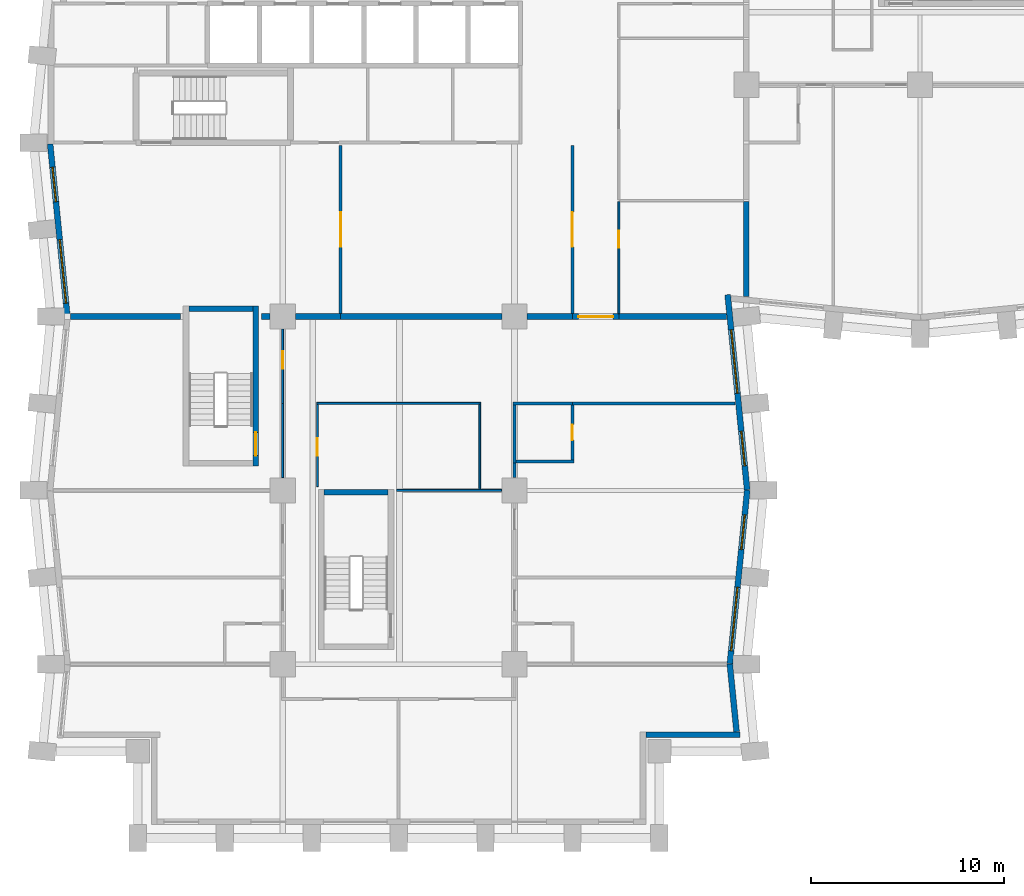
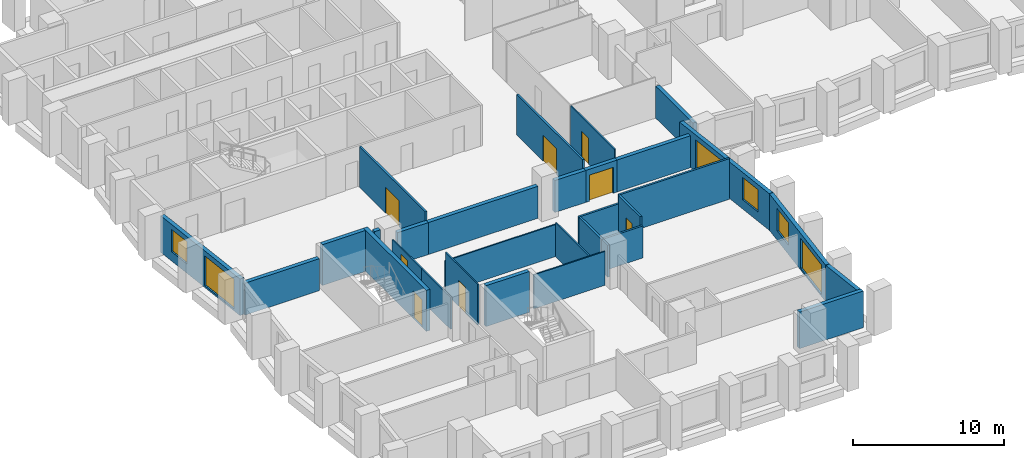
# One storey, part 4 of 12: 31 walls, 8 doors, 6 windows, 14 openings.
"""IFC4 building model written with IfcOpenShell, lengths in metres."""

from ifc_helpers import new_model, si_unit, direction, frame, frame_2d, origin, place, context, subcontext, project, spatial, rectangle, extrude, material, layer, layer_set, type_object, element, fill, save


model = new_model("IFC4")

# Units and contexts
model_context = context("Model", 3, precision=1e-05, world=origin(), true_north=direction((0.0, 1.0)))
body_context = subcontext(model_context, "Body", "Model", "MODEL_VIEW")
ifc_project = project(units=[si_unit("LENGTHUNIT", "METRE"), si_unit("AREAUNIT", "SQUARE_METRE"), si_unit("VOLUMEUNIT", "CUBIC_METRE"), si_unit("PLANEANGLEUNIT", "RADIAN"), si_unit("MASSUNIT", "GRAM", prefix="KILO")], contexts=[model_context])

# Site, building, storey
site_placement = place(None, origin())
site = spatial("IfcSite", under=ifc_project, at=site_placement, CompositionType="ELEMENT")
building_placement = place(site_placement, origin())
building = spatial("IfcBuilding", under=site, at=building_placement, Name="Brondeck Convention Tower", CompositionType="ELEMENT")
storey_placement = place(building_placement, frame((0.0, 0.0, 59.10009765625)))
storey = spatial("IfcBuildingStorey", under=building, at=storey_placement, Name="L12", CompositionType="ELEMENT", Elevation=59.10009765625)

# Walls
ifc_material_1 = material(Name="Concrete compartment wall C30/37", Category="concrete")
ifc_layer_1 = layer(ifc_material_1, 0.300048828125)
ifc_layer_set_1 = layer_set([ifc_layer_1], Name="Compartment wall 300")
wall_type_1 = type_object("IfcWallType", Name="Compartment wall 300", PredefinedType="PARTITIONING", material=ifc_layer_set_1)
wall_1_placement = place(storey_placement, frame((6.699951171875, 27.0, 0.0), z_axis=(0.0, 0.0, 1.0), x_axis=(-1.0, 0.0, 0.0)))
element("IfcWall", 1, at=wall_1_placement, inside=storey, type_object=wall_type_1, Name="FLR-L12-W035", PredefinedType="PARTITIONING", context=body_context, shape_type="SweptSolid", body=[
    extrude(rectangle(XDim=5.675048828125, YDim=0.300048828125, at=frame_2d((2.83740234375, 0.0))), origin(), (0.0, 0.0, 1.0), 2.579833984375),
])
wall_2_placement = place(storey_placement, frame((11.344970703125, 27.0, 0.0), z_axis=(0.0, 0.0, 1.0), x_axis=(-1.0, 0.0, 0.0)))
element("IfcWall", 2, at=wall_2_placement, inside=storey, type_object=wall_type_1, Name="FLR-L12-W036", PredefinedType="PARTITIONING", context=body_context, shape_type="SweptSolid", body=[
    extrude(rectangle(XDim=0.445068359375, YDim=0.300048828125, at=frame_2d((0.22265625, 0.0))), origin(), (0.0, 0.0, 1.0), 3.27978515625),
])
wall_3_placement = place(storey_placement, frame((15.0, 27.0, 0.0), z_axis=(0.0, 0.0, 1.0), x_axis=(-1.0, 0.0, 0.0)))
element("IfcWall", 3, at=wall_3_placement, inside=storey, type_object=wall_type_1, Name="FLR-L12-W037", PredefinedType="PARTITIONING", context=body_context, shape_type="SweptSolid", body=[
    extrude(rectangle(XDim=2.344970703125, YDim=0.300048828125, at=frame_2d((1.17236328125, 0.0))), origin(), (0.0, 0.0, 1.0), 2.579833984375),
])
wall_4_placement = place(storey_placement, frame((23.344970703125, 27.0, 0.0), z_axis=(0.0, 0.0, 1.0), x_axis=(-1.0, 0.0, 0.0)))
element("IfcWall", 4, at=wall_4_placement, inside=storey, type_object=wall_type_1, Name="FLR-L12-W038", PredefinedType="PARTITIONING", context=body_context, shape_type="SweptSolid", body=[
    extrude(rectangle(XDim=8.344970703125, YDim=0.300048828125, at=frame_2d((4.17236328125, 0.0))), origin(), (0.0, 0.0, 1.0), 2.579833984375),
])
wall_5_placement = place(storey_placement, frame((27.0, 27.0, 0.0), z_axis=(0.0, 0.0, 1.0), x_axis=(-1.0, 0.0, 0.0)))
element("IfcWall", 5, at=wall_5_placement, inside=storey, type_object=wall_type_1, Name="FLR-L12-W039", PredefinedType="PARTITIONING", context=body_context, shape_type="SweptSolid", body=[
    extrude(rectangle(XDim=2.344970703125, YDim=0.300048828125, at=frame_2d((1.17236328125, 0.0))), origin(), (0.0, 0.0, 1.0), 2.579833984375),
])

# Wall, opening, door
wall_6_placement = place(storey_placement, frame((29.39990234375, 27.0, 0.0), z_axis=(0.0, 0.0, 1.0), x_axis=(-1.0, 0.0, 0.0)))
wall_6 = element("IfcWall", 6, at=wall_6_placement, inside=storey, type_object=wall_type_1, Name="FLR-L12-W040", PredefinedType="PARTITIONING", context=body_context, shape_type="SweptSolid", body=[
    extrude(rectangle(XDim=2.39990234375, YDim=0.300048828125, at=frame_2d((1.199951171875, 0.0))), origin(), (0.0, 0.0, 1.0), 2.579833984375),
])
opening_1_placement = place(wall_6_placement, frame((0.300048828125, 0.0, 0.0)))
opening_1 = element("IfcOpeningElement", 7, at=opening_1_placement, cuts=wall_6, Name="Opening H3-042", PredefinedType="OPENING", context=body_context, shape_type="SweptSolid", body=[
    extrude(rectangle(XDim=1.800048828125, YDim=2.10009765625, at=frame_2d((0.89990234375, 1.050048828125))), frame((0.0, 0.159912109375, 0.0), z_axis=(0.0, -1.0, 0.0), x_axis=(1.0, 0.0, 0.0)), (0.0, 0.0, 1.0), 0.320068359375),
])
ifc_material_2 = material(Name="Steel fire door pair", Category="steel")
door_type_1 = type_object("IfcDoorType", Name="Fire door pair 1800", OperationType="DOUBLE_DOOR_SINGLE_SWING", PredefinedType="DOOR", material=ifc_material_2)
door_1_placement = place(opening_1_placement, origin())
door_1 = element("IfcDoor", 8, at=door_1_placement, inside=storey, type_object=door_type_1, Name="Door H3-042", OperationType="DOUBLE_DOOR_SINGLE_SWING", OverallHeight=2.10009765625, OverallWidth=1.800048828125, PredefinedType="DOOR", context=body_context, shape_type="SweptSolid", body=[
    extrude(rectangle(XDim=1.800048828125, YDim=2.10009765625, at=frame_2d((0.89990234375, 1.050048828125))), frame((0.0, 0.02490234375, 0.0), z_axis=(0.0, -1.0, 0.0), x_axis=(1.0, 0.0, 0.0)), (0.0, 0.0, 1.0), 0.050048828125),
])
fill(opening_1, door_1)

# Walls
wall_7_placement = place(storey_placement, frame((34.97509765625, 27.0, 0.0), z_axis=(0.0, 0.0, 1.0), x_axis=(-1.0, 0.0, 0.0)))
element("IfcWall", 9, at=wall_7_placement, inside=storey, type_object=wall_type_1, Name="FLR-L12-W041", PredefinedType="PARTITIONING", context=body_context, shape_type="SweptSolid", body=[
    extrude(rectangle(XDim=5.5751953125, YDim=0.300048828125, at=frame_2d((2.78759765625, 0.0))), origin(), (0.0, 0.0, 1.0), 2.579833984375),
])
wall_8_placement = place(storey_placement, frame((36.0, 32.949951171875, 0.0), z_axis=(0.0, 0.0, 1.0), x_axis=(0.0, -1.0, 0.0)))
element("IfcWall", 10, at=wall_8_placement, inside=storey, type_object=wall_type_1, Name="FLR-L12-W044", PredefinedType="PARTITIONING", context=body_context, shape_type="SweptSolid", body=[
    extrude(rectangle(XDim=4.925048828125, YDim=0.300048828125, at=frame_2d((2.46240234375, 0.0))), origin(), (0.0, 0.0, 1.0), 2.579833984375),
])
ifc_material_3 = material(Name="Precast concrete C50/60 bronze finish", Category="concrete")
ifc_layer_2 = layer(ifc_material_3, 0.070068359375, Name="Bronze precast facing")
ifc_material_4 = material(Name="Mineral wool")
ifc_layer_3 = layer(ifc_material_4, 0.159912109375, Name="Insulation")
ifc_material_5 = material(Name="Concrete C35/45", Category="concrete")
ifc_layer_4 = layer(ifc_material_5, 0.070068359375, Name="Backing")
ifc_layer_set_2 = layer_set([ifc_layer_2, ifc_layer_3, ifc_layer_4], Name="External infill wall, precast concrete C50/60 bronze facing")
wall_type_2 = type_object("IfcWallType", Name="External infill wall, precast concrete C50/60 bronze facing", PredefinedType="SOLIDWALL", material=ifc_layer_set_2)
wall_9_placement = place(storey_placement, frame((35.676513671875, 5.35009765625, 0.0), z_axis=(0.0, 0.0, 1.0), x_axis=(-1.0, 0.0, 0.0)))
element("IfcWall", 11, at=wall_9_placement, inside=storey, type_object=wall_type_2, Name="ENV-EW-L12-P0-NC-SEB0-02", PredefinedType="SOLIDWALL", context=body_context, shape_type="SweptSolid", body=[
    extrude(rectangle(XDim=4.87646484375, YDim=0.300048828125, at=frame_2d((2.438232421875, 0.0))), origin(), (0.0, 0.0, 1.0), 2.949951171875),
])
wall_10_placement = place(storey_placement, frame((35.144287109375, 9.014892578125, 0.0), z_axis=(0.0, 0.0, 1.0), x_axis=(0.099462600847, -0.995041301169, 0.0)))
element("IfcWall", 12, at=wall_10_placement, inside=storey, type_object=wall_type_2, Name="ENV-EW-L12-P0-B-E-04", PredefinedType="SOLIDWALL", context=body_context, shape_type="SweptSolid", body=[
    extrude(rectangle(XDim=3.52734375, YDim=0.300048828125, at=frame_2d((1.763671875, 0.0))), origin(), (0.0, 0.0, 1.0), 2.949951171875),
])

# Wall, openings, windows
wall_11_placement = place(storey_placement, frame((36.04736328125, 18.014892578125, 0.0), z_axis=(0.0, 0.0, 1.0), x_axis=(-0.099522457379, -0.995035316196, 0.0)))
wall_11 = element("IfcWall", 13, at=wall_11_placement, inside=storey, type_object=wall_type_2, Name="ENV-EW-L12-P0-B-E-03", PredefinedType="SOLIDWALL", context=body_context, shape_type="SweptSolid", body=[
    extrude(rectangle(XDim=9.030029296875, YDim=0.300048828125, at=frame_2d((4.51513671875, 0.0))), origin(), (0.0, 0.0, 1.0), 2.949951171875),
])
opening_2_placement = place(wall_11_placement, frame((1.291259765625, 0.0, 0.75)))
opening_2 = element("IfcOpeningElement", 14, at=opening_2_placement, cuts=wall_11, Name="Opening W10", PredefinedType="OPENING", context=body_context, shape_type="SweptSolid", body=[
    extrude(rectangle(XDim=1.800048828125, YDim=1.800048828125, at=frame_2d((0.89990234375, 0.89990234375))), frame((0.0, 0.159912109375, 0.0), z_axis=(0.0, -1.0, 0.0), x_axis=(1.0, 0.0, 0.0)), (0.0, 0.0, 1.0), 0.320068359375),
])
opening_3_placement = place(wall_11_placement, frame((5.063720703125, 0.0, 0.14990234375)))
opening_3 = element("IfcOpeningElement", 15, at=opening_3_placement, cuts=wall_11, Name="Opening W9", PredefinedType="OPENING", context=body_context, shape_type="SweptSolid", body=[
    extrude(rectangle(XDim=3.300048828125, YDim=2.39990234375, at=frame_2d((1.64990234375, 1.199951171875))), frame((0.0, 0.159912109375, 0.0), z_axis=(0.0, -1.0, 0.0), x_axis=(1.0, 0.0, 0.0)), (0.0, 0.0, 1.0), 0.320068359375),
])
ifc_material_6 = material(Name="Bronze tinted double glazing", Category="glass")
window_type_1 = type_object("IfcWindowType", Name="Glazed flute window, bronze tinted", PartitioningType="SINGLE_PANEL", PredefinedType="WINDOW", material=ifc_material_6)
window_1_placement = place(opening_3_placement, origin())
window_1 = element("IfcWindow", 16, at=window_1_placement, inside=storey, type_object=window_type_1, Name="ENV-WN-L12-P0-B-E-03", OverallHeight=2.39990234375, OverallWidth=3.300048828125, PartitioningType="SINGLE_PANEL", PredefinedType="WINDOW", context=body_context, shape_type="SweptSolid", body=[
    extrude(rectangle(XDim=3.300048828125, YDim=2.39990234375, at=frame_2d((1.64990234375, 1.199951171875))), frame((0.0, 0.030029296875, 0.0), z_axis=(0.0, -1.0, 0.0), x_axis=(1.0, 0.0, 0.0)), (0.0, 0.0, 1.0), 0.06005859375),
])
fill(opening_3, window_1)
window_type_2 = type_object("IfcWindowType", Name="Punched window, bronze tinted", PartitioningType="SINGLE_PANEL", PredefinedType="WINDOW", material=ifc_material_6)
window_2_placement = place(opening_2_placement, origin())
window_2 = element("IfcWindow", 17, at=window_2_placement, inside=storey, type_object=window_type_2, Name="ENV-WN-L12-P0-B-E-02", OverallHeight=1.800048828125, OverallWidth=1.800048828125, PartitioningType="SINGLE_PANEL", PredefinedType="WINDOW", context=body_context, shape_type="SweptSolid", body=[
    extrude(rectangle(XDim=1.800048828125, YDim=1.800048828125, at=frame_2d((0.89990234375, 0.89990234375))), frame((0.0, 0.030029296875, 0.0), z_axis=(0.0, -1.0, 0.0), x_axis=(1.0, 0.0, 0.0)), (0.0, 0.0, 1.0), 0.06005859375),
])
fill(opening_2, window_2)

wall_12_placement = place(storey_placement, frame((35.03271484375, 28.131591796875, 0.0), z_axis=(0.0, 0.0, 1.0), x_axis=(0.099487051997, -0.995038856771, 0.0)))
wall_12 = element("IfcWall", 18, at=wall_12_placement, inside=storey, type_object=wall_type_2, Name="ENV-EW-L12-P0-B-E-01", PredefinedType="SOLIDWALL", context=body_context, shape_type="SweptSolid", body=[
    extrude(rectangle(XDim=10.152099609375, YDim=0.300048828125, at=frame_2d((5.076171875, 0.0))), origin(), (0.0, 0.0, 1.0), 2.949951171875),
])
opening_4_placement = place(wall_12_placement, frame((1.83349609375, 0.0, 0.14990234375)))
opening_4 = element("IfcOpeningElement", 19, at=opening_4_placement, cuts=wall_12, Name="Opening W9", PredefinedType="OPENING", context=body_context, shape_type="SweptSolid", body=[
    extrude(rectangle(XDim=3.300048828125, YDim=2.39990234375, at=frame_2d((1.64990234375, 1.199951171875))), frame((0.0, 0.159912109375, 0.0), z_axis=(0.0, -1.0, 0.0), x_axis=(1.0, 0.0, 0.0)), (0.0, 0.0, 1.0), 0.320068359375),
])
opening_5_placement = place(wall_12_placement, frame((7.10595703125, 0.0, 0.75)))
opening_5 = element("IfcOpeningElement", 20, at=opening_5_placement, cuts=wall_12, Name="Opening W10", PredefinedType="OPENING", context=body_context, shape_type="SweptSolid", body=[
    extrude(rectangle(XDim=1.800048828125, YDim=1.800048828125, at=frame_2d((0.89990234375, 0.89990234375))), frame((0.0, 0.159912109375, 0.0), z_axis=(0.0, -1.0, 0.0), x_axis=(1.0, 0.0, 0.0)), (0.0, 0.0, 1.0), 0.320068359375),
])
window_3_placement = place(opening_4_placement, origin())
window_3 = element("IfcWindow", 21, at=window_3_placement, inside=storey, type_object=window_type_1, Name="ENV-WN-L12-P0-B-E-00", OverallHeight=2.39990234375, OverallWidth=3.300048828125, PartitioningType="SINGLE_PANEL", PredefinedType="WINDOW", context=body_context, shape_type="SweptSolid", body=[
    extrude(rectangle(XDim=3.300048828125, YDim=2.39990234375, at=frame_2d((1.64990234375, 1.199951171875))), frame((0.0, 0.030029296875, 0.0), z_axis=(0.0, -1.0, 0.0), x_axis=(1.0, 0.0, 0.0)), (0.0, 0.0, 1.0), 0.06005859375),
])
fill(opening_4, window_3)
window_4_placement = place(opening_5_placement, origin())
window_4 = element("IfcWindow", 22, at=window_4_placement, inside=storey, type_object=window_type_2, Name="ENV-WN-L12-P0-B-E-01", OverallHeight=1.800048828125, OverallWidth=1.800048828125, PartitioningType="SINGLE_PANEL", PredefinedType="WINDOW", context=body_context, shape_type="SweptSolid", body=[
    extrude(rectangle(XDim=1.800048828125, YDim=1.800048828125, at=frame_2d((0.89990234375, 0.89990234375))), frame((0.0, 0.030029296875, 0.0), z_axis=(0.0, -1.0, 0.0), x_axis=(1.0, 0.0, 0.0)), (0.0, 0.0, 1.0), 0.06005859375),
])
fill(opening_5, window_4)

wall_13_placement = place(storey_placement, frame((0.855712890625, 26.985107421875, 0.0), z_axis=(0.0, 0.0, 1.0), x_axis=(-0.099503719021, 0.99503719021, 0.0)))
wall_13 = element("IfcWall", 23, at=wall_13_placement, inside=storey, type_object=wall_type_2, Name="ENV-EW-L12-P0-B-W-06", PredefinedType="SOLIDWALL", context=body_context, shape_type="SweptSolid", body=[
    extrude(rectangle(XDim=8.994873046875, YDim=0.300048828125, at=frame_2d((4.49755859375, 0.0))), origin(), (0.0, 0.0, 1.0), 2.949951171875),
])
opening_6_placement = place(wall_13_placement, frame((0.711181640625, 0.0, 0.14990234375)))
opening_6 = element("IfcOpeningElement", 24, at=opening_6_placement, cuts=wall_13, Name="Opening W9", PredefinedType="OPENING", context=body_context, shape_type="SweptSolid", body=[
    extrude(rectangle(XDim=3.300048828125, YDim=2.39990234375, at=frame_2d((1.64990234375, 1.199951171875))), frame((0.0, 0.159912109375, 0.0), z_axis=(0.0, -1.0, 0.0), x_axis=(1.0, 0.0, 0.0)), (0.0, 0.0, 1.0), 0.320068359375),
])
opening_7_placement = place(wall_13_placement, frame((5.983642578125, 0.0, 0.75)))
opening_7 = element("IfcOpeningElement", 25, at=opening_7_placement, cuts=wall_13, Name="Opening W10", PredefinedType="OPENING", context=body_context, shape_type="SweptSolid", body=[
    extrude(rectangle(XDim=1.800048828125, YDim=1.800048828125, at=frame_2d((0.89990234375, 0.89990234375))), frame((0.0, 0.159912109375, 0.0), z_axis=(0.0, -1.0, 0.0), x_axis=(1.0, 0.0, 0.0)), (0.0, 0.0, 1.0), 0.320068359375),
])
window_5_placement = place(opening_6_placement, origin())
window_5 = element("IfcWindow", 26, at=window_5_placement, inside=storey, type_object=window_type_1, Name="ENV-WN-L12-P0-B-W-07", OverallHeight=2.39990234375, OverallWidth=3.300048828125, PartitioningType="SINGLE_PANEL", PredefinedType="WINDOW", context=body_context, shape_type="SweptSolid", body=[
    extrude(rectangle(XDim=3.300048828125, YDim=2.39990234375, at=frame_2d((1.64990234375, 1.199951171875))), frame((0.0, 0.030029296875, 0.0), z_axis=(0.0, -1.0, 0.0), x_axis=(1.0, 0.0, 0.0)), (0.0, 0.0, 1.0), 0.06005859375),
])
fill(opening_6, window_5)
window_6_placement = place(opening_7_placement, origin())
window_6 = element("IfcWindow", 27, at=window_6_placement, inside=storey, type_object=window_type_2, Name="ENV-WN-L12-P0-B-W-06", OverallHeight=1.800048828125, OverallWidth=1.800048828125, PartitioningType="SINGLE_PANEL", PredefinedType="WINDOW", context=body_context, shape_type="SweptSolid", body=[
    extrude(rectangle(XDim=1.800048828125, YDim=1.800048828125, at=frame_2d((0.89990234375, 0.89990234375))), frame((0.0, 0.030029296875, 0.0), z_axis=(0.0, -1.0, 0.0), x_axis=(1.0, 0.0, 0.0)), (0.0, 0.0, 1.0), 0.06005859375),
])
fill(opening_7, window_6)

# Walls
ifc_material_7 = material(Name="Double gypsum board acoustic wall")
ifc_layer_5 = layer(ifc_material_7, 0.14990234375)
ifc_layer_set_3 = layer_set([ifc_layer_5], Name="Guest room party wall 150")
wall_type_3 = type_object("IfcWallType", Name="Guest room party wall 150", PredefinedType="PARTITIONING", material=ifc_layer_set_3)
wall_14_placement = place(storey_placement, frame((24.0, 19.425048828125, 0.0), z_axis=(0.0, 0.0, 1.0), x_axis=(0.0, -1.0, 0.0)))
element("IfcWall", 28, at=wall_14_placement, inside=storey, type_object=wall_type_3, Name="FLR-L12-W025", PredefinedType="PARTITIONING", context=body_context, shape_type="SweptSolid", body=[
    extrude(rectangle(XDim=0.77001953125, YDim=0.14990234375, at=frame_2d((0.385009765625, 0.0))), origin(), (0.0, 0.0, 1.0), 2.579833984375),
])
wall_15_placement = place(storey_placement, frame((24.074951171875, 19.5, 0.0), z_axis=(0.0, 0.0, 1.0), x_axis=(1.0, 0.0, 0.0)))
element("IfcWall", 29, at=wall_15_placement, inside=storey, type_object=wall_type_3, Name="FLR-L12-W026", PredefinedType="PARTITIONING", context=body_context, shape_type="SweptSolid", body=[
    extrude(rectangle(XDim=3.0, YDim=0.14990234375, at=frame_2d((1.5, 0.0))), origin(), (0.0, 0.0, 1.0), 2.579833984375),
])

# Wall, opening, door
wall_16_placement = place(storey_placement, frame((27.0, 19.574951171875, 0.0), z_axis=(0.0, 0.0, 1.0), x_axis=(0.0, 1.0, 0.0)))
wall_16 = element("IfcWall", 30, at=wall_16_placement, inside=storey, type_object=wall_type_3, Name="FLR-L12-W027", PredefinedType="PARTITIONING", context=body_context, shape_type="SweptSolid", body=[
    extrude(rectangle(XDim=2.85009765625, YDim=0.14990234375, at=frame_2d((1.425048828125, 0.0))), origin(), (0.0, 0.0, 1.0), 3.27978515625),
])
opening_8_placement = place(wall_16_placement, frame((1.02490234375, 0.0, 0.0)))
opening_8 = element("IfcOpeningElement", 31, at=opening_8_placement, cuts=wall_16, Name="Opening H3-027", PredefinedType="OPENING", context=body_context, shape_type="SweptSolid", body=[
    extrude(rectangle(XDim=0.800048828125, YDim=2.10009765625, at=frame_2d((0.39990234375, 1.050048828125))), frame((0.0, 0.0849609375, 0.0), z_axis=(0.0, -1.0, 0.0), x_axis=(1.0, 0.0, 0.0)), (0.0, 0.0, 1.0), 0.169921875),
])
ifc_material_8 = material(Name="Solid timber door leaf", Category="wood")
door_type_2 = type_object("IfcDoorType", Name="En-suite door 800", OperationType="NOTDEFINED", PredefinedType="DOOR", material=ifc_material_8)
door_2_placement = place(opening_8_placement, origin())
door_2 = element("IfcDoor", 32, at=door_2_placement, inside=storey, type_object=door_type_2, Name="Door H3-027", OperationType="SINGLE_SWING_RIGHT", OverallHeight=2.10009765625, OverallWidth=0.800048828125, PredefinedType="DOOR", context=body_context, shape_type="SweptSolid", body=[
    extrude(rectangle(XDim=0.800048828125, YDim=2.10009765625, at=frame_2d((0.39990234375, 1.050048828125))), frame((0.0, 0.02490234375, 0.0), z_axis=(0.0, -1.0, 0.0), x_axis=(1.0, 0.0, 0.0)), (0.0, 0.0, 1.0), 0.050048828125),
])
fill(opening_8, door_2)

# Walls
wall_17_placement = place(storey_placement, frame((24.0, 22.425048828125, 0.0), z_axis=(0.0, 0.0, 1.0), x_axis=(0.0, -1.0, 0.0)))
element("IfcWall", 33, at=wall_17_placement, inside=storey, type_object=wall_type_3, Name="FLR-L12-W028", PredefinedType="PARTITIONING", context=body_context, shape_type="SweptSolid", body=[
    extrude(rectangle(XDim=2.9951171875, YDim=0.14990234375, at=frame_2d((1.49755859375, 0.0))), origin(), (0.0, 0.0, 1.0), 2.579833984375),
])
wall_18_placement = place(storey_placement, frame((27.0, 22.5, 0.0), z_axis=(0.0, 0.0, 1.0), x_axis=(-1.0, 0.0, 0.0)))
element("IfcWall", 34, at=wall_18_placement, inside=storey, type_object=wall_type_3, Name="FLR-L12-W033", PredefinedType="PARTITIONING", context=body_context, shape_type="SweptSolid", body=[
    extrude(rectangle(XDim=3.074951171875, YDim=0.14990234375, at=frame_2d((1.53759765625, 0.0))), origin(), (0.0, 0.0, 1.0), 2.579833984375),
])
wall_19_placement = place(storey_placement, frame((35.425048828125, 22.5, 0.0), z_axis=(0.0, 0.0, 1.0), x_axis=(-1.0, 0.0, 0.0)))
element("IfcWall", 35, at=wall_19_placement, inside=storey, type_object=wall_type_3, Name="FLR-L12-W034", PredefinedType="PARTITIONING", context=body_context, shape_type="SweptSolid", body=[
    extrude(rectangle(XDim=8.425048828125, YDim=0.14990234375, at=frame_2d((4.21240234375, 0.0))), origin(), (0.0, 0.0, 1.0), 3.27978515625),
])

# Wall, opening, door
wall_20_placement = place(storey_placement, frame((27.0, 27.14990234375, 0.0), z_axis=(0.0, 0.0, 1.0), x_axis=(0.0, 1.0, 0.0)))
wall_20 = element("IfcWall", 36, at=wall_20_placement, inside=storey, type_object=wall_type_3, Name="FLR-L12-W042", PredefinedType="PARTITIONING", context=body_context, shape_type="SweptSolid", body=[
    extrude(rectangle(XDim=8.7001953125, YDim=0.14990234375, at=frame_2d((4.35009765625, 0.0))), origin(), (0.0, 0.0, 1.0), 3.27978515625),
])
opening_9_placement = place(wall_20_placement, frame((3.449951171875, 0.0, 0.0)))
opening_9 = element("IfcOpeningElement", 37, at=opening_9_placement, cuts=wall_20, Name="Opening H3-039", PredefinedType="OPENING", context=body_context, shape_type="SweptSolid", body=[
    extrude(rectangle(XDim=1.800048828125, YDim=2.10009765625, at=frame_2d((0.89990234375, 1.050048828125))), frame((0.0, 0.0849609375, 0.0), z_axis=(0.0, -1.0, 0.0), x_axis=(1.0, 0.0, 0.0)), (0.0, 0.0, 1.0), 0.169921875),
])
ifc_material_9 = material(Name="Glazed timber double door", Category="wood")
door_type_3 = type_object("IfcDoorType", Name="Double door 1800", OperationType="DOUBLE_DOOR_SINGLE_SWING", PredefinedType="DOOR", material=ifc_material_9)
door_3_placement = place(opening_9_placement, origin())
door_3 = element("IfcDoor", 38, at=door_3_placement, inside=storey, type_object=door_type_3, Name="Door H3-039", OperationType="DOUBLE_DOOR_SINGLE_SWING", OverallHeight=2.10009765625, OverallWidth=1.800048828125, PredefinedType="DOOR", context=body_context, shape_type="SweptSolid", body=[
    extrude(rectangle(XDim=1.800048828125, YDim=2.10009765625, at=frame_2d((0.89990234375, 1.050048828125))), frame((0.0, 0.02490234375, 0.0), z_axis=(0.0, -1.0, 0.0), x_axis=(1.0, 0.0, 0.0)), (0.0, 0.0, 1.0), 0.050048828125),
])
fill(opening_9, door_3)

wall_21_placement = place(storey_placement, frame((15.0, 27.14990234375, 0.0), z_axis=(0.0, 0.0, 1.0), x_axis=(0.0, 1.0, 0.0)))
wall_21 = element("IfcWall", 39, at=wall_21_placement, inside=storey, type_object=wall_type_3, Name="FLR-L12-W046", PredefinedType="PARTITIONING", context=body_context, shape_type="SweptSolid", body=[
    extrude(rectangle(XDim=8.7001953125, YDim=0.14990234375, at=frame_2d((4.35009765625, 0.0))), origin(), (0.0, 0.0, 1.0), 3.27978515625),
])
opening_10_placement = place(wall_21_placement, frame((3.449951171875, 0.0, 0.0)))
opening_10 = element("IfcOpeningElement", 40, at=opening_10_placement, cuts=wall_21, Name="Opening H3-040", PredefinedType="OPENING", context=body_context, shape_type="SweptSolid", body=[
    extrude(rectangle(XDim=1.800048828125, YDim=2.10009765625, at=frame_2d((0.89990234375, 1.050048828125))), frame((0.0, 0.0849609375, 0.0), z_axis=(0.0, -1.0, 0.0), x_axis=(1.0, 0.0, 0.0)), (0.0, 0.0, 1.0), 0.169921875),
])
door_4_placement = place(opening_10_placement, origin())
door_4 = element("IfcDoor", 41, at=door_4_placement, inside=storey, type_object=door_type_3, Name="Door H3-040", OperationType="DOUBLE_DOOR_SINGLE_SWING", OverallHeight=2.10009765625, OverallWidth=1.800048828125, PredefinedType="DOOR", context=body_context, shape_type="SweptSolid", body=[
    extrude(rectangle(XDim=1.800048828125, YDim=2.10009765625, at=frame_2d((0.89990234375, 1.050048828125))), frame((0.0, 0.02490234375, 0.0), z_axis=(0.0, -1.0, 0.0), x_axis=(1.0, 0.0, 0.0)), (0.0, 0.0, 1.0), 0.050048828125),
])
fill(opening_10, door_4)

# Walls
ifc_material_10 = material(Name="Gypsum board partition on steel studs", Category="steel")
ifc_layer_6 = layer(ifc_material_10, 0.10009765625)
ifc_layer_set_4 = layer_set([ifc_layer_6], Name="Room partition 100")
wall_type_4 = type_object("IfcWallType", Name="Room partition 100", PredefinedType="PARTITIONING", material=ifc_layer_set_4)
wall_22_placement = place(storey_placement, frame((23.330078125, 18.0, 0.0), z_axis=(0.0, 0.0, 1.0), x_axis=(-1.0, 0.0, 0.0)))
element("IfcWall", 42, at=wall_22_placement, inside=storey, type_object=wall_type_4, Name="FLR-L12-W023", PredefinedType="PARTITIONING", context=body_context, shape_type="SweptSolid", body=[
    extrude(rectangle(XDim=5.43017578125, YDim=0.10009765625, at=frame_2d((2.715087890625, 0.0))), origin(), (0.0, 0.0, 1.0), 2.72998046875),
])
wall_23_placement = place(storey_placement, frame((22.199951171875, 18.050048828125, 0.0), z_axis=(0.0, 0.0, 1.0), x_axis=(0.0, 1.0, 0.0)))
element("IfcWall", 43, at=wall_23_placement, inside=storey, type_object=wall_type_4, Name="FLR-L12-W024", PredefinedType="PARTITIONING", context=body_context, shape_type="SweptSolid", body=[
    extrude(rectangle(XDim=4.39990234375, YDim=0.10009765625, at=frame_2d((2.199951171875, 0.0))), origin(), (0.0, 0.0, 1.0), 2.72998046875),
])

# Wall, opening, door
wall_24_placement = place(storey_placement, frame((13.800048828125, 22.449951171875, 0.0), z_axis=(0.0, 0.0, 1.0), x_axis=(0.0, -1.0, 0.0)))
wall_24 = element("IfcWall", 44, at=wall_24_placement, inside=storey, type_object=wall_type_4, Name="FLR-L12-W029", PredefinedType="PARTITIONING", context=body_context, shape_type="SweptSolid", body=[
    extrude(rectangle(XDim=4.25, YDim=0.10009765625, at=frame_2d((2.125, 0.0))), origin(), (0.0, 0.0, 1.0), 3.27978515625),
])
opening_11_placement = place(wall_24_placement, frame((1.75, 0.0, 0.0)))
opening_11 = element("IfcOpeningElement", 45, at=opening_11_placement, cuts=wall_24, Name="Opening H3-030", PredefinedType="OPENING", context=body_context, shape_type="SweptSolid", body=[
    extrude(rectangle(XDim=0.89990234375, YDim=2.10009765625, at=frame_2d((0.449951171875, 1.050048828125))), frame((0.0, 0.06005859375, 0.0), z_axis=(0.0, -1.0, 0.0), x_axis=(1.0, 0.0, 0.0)), (0.0, 0.0, 1.0), 0.1201171875),
])
door_type_4 = type_object("IfcDoorType", Name="Single door 900", OperationType="NOTDEFINED", PredefinedType="DOOR", material=ifc_material_8)
door_5_placement = place(opening_11_placement, origin())
door_5 = element("IfcDoor", 46, at=door_5_placement, inside=storey, type_object=door_type_4, Name="Door H3-030", OperationType="SINGLE_SWING_LEFT", OverallHeight=2.10009765625, OverallWidth=0.89990234375, PredefinedType="DOOR", context=body_context, shape_type="SweptSolid", body=[
    extrude(rectangle(XDim=0.89990234375, YDim=2.10009765625, at=frame_2d((0.449951171875, 1.050048828125))), frame((0.0, 0.02490234375, 0.0), z_axis=(0.0, -1.0, 0.0), x_axis=(1.0, 0.0, 0.0)), (0.0, 0.0, 1.0), 0.050048828125),
])
fill(opening_11, door_5)

# Wall
wall_25_placement = place(storey_placement, frame((12.0, 22.5, 0.0), z_axis=(0.0, 0.0, 1.0), x_axis=(0.0, -1.0, 0.0)))
element("IfcWall", 47, at=wall_25_placement, inside=storey, type_object=wall_type_4, Name="FLR-L12-W030", PredefinedType="PARTITIONING", context=body_context, shape_type="SweptSolid", body=[
    extrude(rectangle(XDim=3.844970703125, YDim=0.10009765625, at=frame_2d((1.92236328125, 0.0))), origin(), (0.0, 0.0, 1.0), 2.579833984375),
])

# Wall, opening, door
wall_26_placement = place(storey_placement, frame((12.0, 26.344970703125, 0.0), z_axis=(0.0, 0.0, 1.0), x_axis=(0.0, -1.0, 0.0)))
wall_26 = element("IfcWall", 48, at=wall_26_placement, inside=storey, type_object=wall_type_4, Name="FLR-L12-W031", PredefinedType="PARTITIONING", context=body_context, shape_type="SweptSolid", body=[
    extrude(rectangle(XDim=3.844970703125, YDim=0.10009765625, at=frame_2d((1.92236328125, 0.0))), origin(), (0.0, 0.0, 1.0), 2.579833984375),
])
opening_12_placement = place(wall_26_placement, frame((1.14501953125, 0.0, 0.0)))
opening_12 = element("IfcOpeningElement", 49, at=opening_12_placement, cuts=wall_26, Name="Opening H3-022", PredefinedType="OPENING", context=body_context, shape_type="SweptSolid", body=[
    extrude(rectangle(XDim=0.89990234375, YDim=2.10009765625, at=frame_2d((0.449951171875, 1.050048828125))), frame((0.0, 0.06005859375, 0.0), z_axis=(0.0, -1.0, 0.0), x_axis=(1.0, 0.0, 0.0)), (0.0, 0.0, 1.0), 0.1201171875),
])
door_6_placement = place(opening_12_placement, origin())
door_6 = element("IfcDoor", 50, at=door_6_placement, inside=storey, type_object=door_type_4, Name="Door H3-022", OperationType="SINGLE_SWING_LEFT", OverallHeight=2.10009765625, OverallWidth=0.89990234375, PredefinedType="DOOR", context=body_context, shape_type="SweptSolid", body=[
    extrude(rectangle(XDim=0.89990234375, YDim=2.10009765625, at=frame_2d((0.449951171875, 1.050048828125))), frame((0.0, 0.02490234375, 0.0), z_axis=(0.0, -1.0, 0.0), x_axis=(1.0, 0.0, 0.0)), (0.0, 0.0, 1.0), 0.050048828125),
])
fill(opening_12, door_6)

# Wall
wall_27_placement = place(storey_placement, frame((22.25, 22.5, 0.0), z_axis=(0.0, 0.0, 1.0), x_axis=(-1.0, 0.0, 0.0)))
element("IfcWall", 51, at=wall_27_placement, inside=storey, type_object=wall_type_4, Name="FLR-L12-W032", PredefinedType="PARTITIONING", context=body_context, shape_type="SweptSolid", body=[
    extrude(rectangle(XDim=8.5, YDim=0.10009765625, at=frame_2d((4.25, 0.0))), origin(), (0.0, 0.0, 1.0), 2.579833984375),
])

# Wall, opening, door
wall_28_placement = place(storey_placement, frame((29.39990234375, 32.949951171875, 0.0), z_axis=(0.0, 0.0, 1.0), x_axis=(0.0, -1.0, 0.0)))
wall_28 = element("IfcWall", 52, at=wall_28_placement, inside=storey, type_object=wall_type_4, Name="FLR-L12-W043", PredefinedType="PARTITIONING", context=body_context, shape_type="SweptSolid", body=[
    extrude(rectangle(XDim=5.800048828125, YDim=0.10009765625, at=frame_2d((2.89990234375, 0.0))), origin(), (0.0, 0.0, 1.0), 3.27978515625),
])
opening_13_placement = place(wall_28_placement, frame((1.5, 0.0, 0.0)))
opening_13 = element("IfcOpeningElement", 53, at=opening_13_placement, cuts=wall_28, Name="Opening H3-038", PredefinedType="OPENING", context=body_context, shape_type="SweptSolid", body=[
    extrude(rectangle(XDim=0.89990234375, YDim=2.10009765625, at=frame_2d((0.449951171875, 1.050048828125))), frame((0.0, 0.06005859375, 0.0), z_axis=(0.0, -1.0, 0.0), x_axis=(1.0, 0.0, 0.0)), (0.0, 0.0, 1.0), 0.1201171875),
])
door_7_placement = place(opening_13_placement, origin())
door_7 = element("IfcDoor", 54, at=door_7_placement, inside=storey, type_object=door_type_4, Name="Door H3-038", OperationType="SINGLE_SWING_LEFT", OverallHeight=2.10009765625, OverallWidth=0.89990234375, PredefinedType="DOOR", context=body_context, shape_type="SweptSolid", body=[
    extrude(rectangle(XDim=0.89990234375, YDim=2.10009765625, at=frame_2d((0.449951171875, 1.050048828125))), frame((0.0, 0.02490234375, 0.0), z_axis=(0.0, -1.0, 0.0), x_axis=(1.0, 0.0, 0.0)), (0.0, 0.0, 1.0), 0.050048828125),
])
fill(opening_13, door_7)

# Walls
ifc_material_11 = material(Name="Concrete C80/95", Category="concrete")
ifc_layer_7 = layer(ifc_material_11, 0.300048828125)
ifc_layer_set_5 = layer_set([ifc_layer_7], Name="Stair enclosure wall 300 Concrete C80/95")
wall_type_5 = type_object("IfcWallType", Name="Stair enclosure wall 300 Concrete C80/95", PredefinedType="SHEAR", material=ifc_layer_set_5)
for number, where, z_axis, x_axis, name in (
    (55, (14.14990234375, 17.89990234375, 0.0), (0.0, 0.0, 1.0), (1.0, 0.0, 0.0), "L12 core wall"),
    (56, (7.14990234375, 27.39990234375, 0.0), (0.0, 0.0, 1.0), (1.0, 0.0, 0.0), "L12 core wall"),
):
    element("IfcWall", number, at=place(storey_placement, frame(where, z_axis=z_axis, x_axis=x_axis)), inside=storey, type_object=wall_type_5, Name=name, PredefinedType="SHEAR", context=body_context, shape_type="SweptSolid", body=[
        extrude(rectangle(XDim=3.300048828125, YDim=0.300048828125, at=frame_2d((1.64990234375, 0.0))), origin(), (0.0, 0.0, 1.0), 3.2998046875),
    ])

# Wall, opening, door
wall_29_placement = place(storey_placement, frame((10.60009765625, 19.25, 0.0), z_axis=(0.0, 0.0, 1.0), x_axis=(0.0, 1.0, 0.0)))
wall_29 = element("IfcWall", 57, at=wall_29_placement, inside=storey, type_object=wall_type_5, Name="L12 core wall", PredefinedType="SHEAR", context=body_context, shape_type="SweptSolid", body=[
    extrude(rectangle(XDim=8.300048828125, YDim=0.300048828125, at=frame_2d((4.14990234375, 0.0))), origin(), (0.0, 0.0, 1.0), 3.2998046875),
])
opening_14_placement = place(wall_29_placement, frame((0.550048828125, 0.0, 0.0)))
opening_14 = element("IfcOpeningElement", 58, at=opening_14_placement, cuts=wall_29, Name="Opening C10-20", PredefinedType="OPENING", context=body_context, shape_type="SweptSolid", body=[
    extrude(rectangle(XDim=1.199951171875, YDim=2.199951171875, at=frame_2d((0.60009765625, 1.10009765625))), frame((0.0, 0.159912109375, 0.0), z_axis=(0.0, -1.0, 0.0), x_axis=(1.0, 0.0, 0.0)), (0.0, 0.0, 1.0), 0.320068359375),
])
ifc_material_12 = material(Name="Steel fire door", Category="steel")
door_type_5 = type_object("IfcDoorType", Name="Stair door 1200x2200 EI 90", OperationType="NOTDEFINED", PredefinedType="DOOR", material=ifc_material_12)
door_8_placement = place(opening_14_placement, origin())
door_8 = element("IfcDoor", 59, at=door_8_placement, inside=storey, type_object=door_type_5, Name="L12 Stair door ST-BE", OperationType="SINGLE_SWING_RIGHT", OverallHeight=2.199951171875, OverallWidth=1.199951171875, PredefinedType="DOOR", context=body_context, shape_type="SweptSolid", body=[
    extrude(rectangle(XDim=1.199951171875, YDim=2.199951171875, at=frame_2d((0.60009765625, 1.10009765625))), frame((0.0, 0.02490234375, 0.0), z_axis=(0.0, -1.0, 0.0), x_axis=(1.0, 0.0, 0.0)), (0.0, 0.0, 1.0), 0.050048828125),
])
fill(opening_14, door_8)

save(model, "model.ifc")
